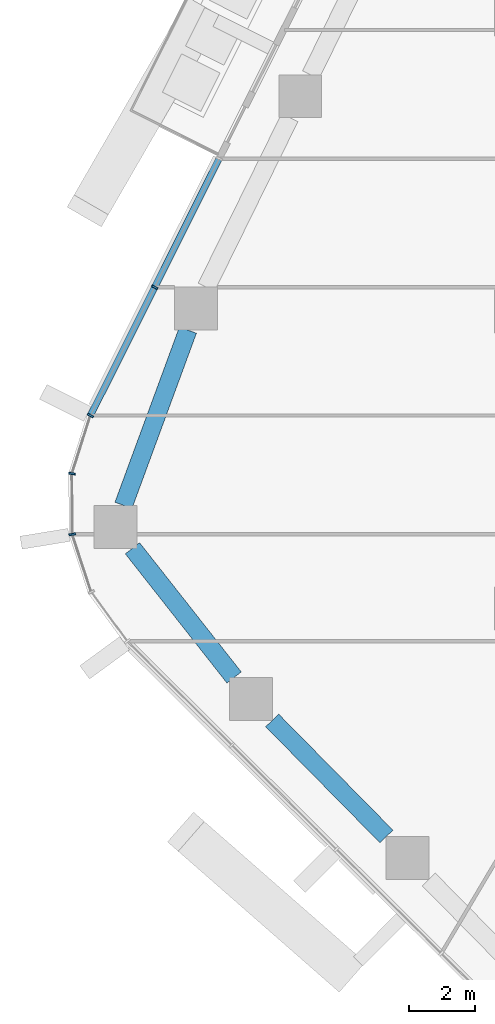
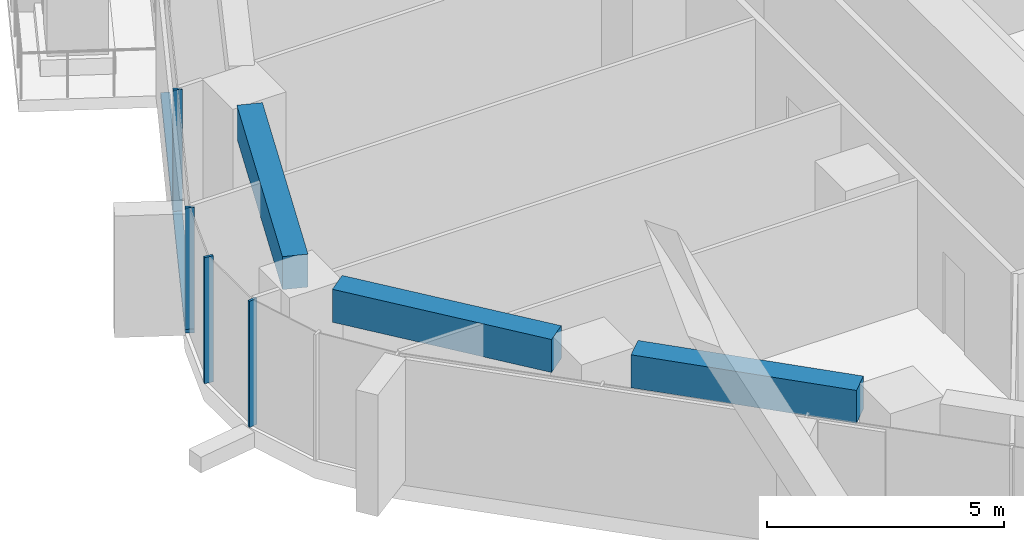
# One storey, part 3 of 25: 5 members, 3 beams, 2 elements without a shape of their own.
"""IFC4 building model written with IfcOpenShell, lengths in metres."""

from ifc_helpers import new_model, si_unit, direction, frame, origin, origin_2d, place, context, subcontext, project, spatial, rectangle, extrude, material, layer, layer_set, material_profile, profile_set, type_object, element, aggregate, save


model = new_model("IFC4")

# Units and contexts
model_context = context("Model", 3, precision=1e-05, world=origin(), true_north=direction((0.0, 1.0)))
body_context = subcontext(model_context, "Body", "Model", "MODEL_VIEW")
ifc_project = project(units=[si_unit("LENGTHUNIT", "METRE"), si_unit("AREAUNIT", "SQUARE_METRE"), si_unit("VOLUMEUNIT", "CUBIC_METRE"), si_unit("PLANEANGLEUNIT", "RADIAN"), si_unit("MASSUNIT", "GRAM", prefix="KILO")], contexts=[model_context])

# Site, building, storey
site_placement = place(None, origin())
site = spatial("IfcSite", under=ifc_project, at=site_placement, CompositionType="ELEMENT")
building_placement = place(site_placement, origin())
building = spatial("IfcBuilding", under=site, at=building_placement, Name="Dongbaek Canopy Tower", CompositionType="ELEMENT")
storey_placement = place(building_placement, frame((0.0, 0.0, 102.60009765625)))
storey = spatial("IfcBuildingStorey", under=building, at=storey_placement, Name="L21", CompositionType="ELEMENT", Elevation=102.60009765625)

# Curtain wall, members
ifc_material_1 = material(Name="Aluminium 6063-T6 pale anodised", Category="aluminium")
ifc_layer = layer(ifc_material_1, 0.199951171875)
ifc_layer_set = layer_set([ifc_layer], Name="CW-1 unitised tower curtain wall")
curtain_wall_type = type_object("IfcCurtainWallType", Name="CW-1 unitised tower curtain wall", PredefinedType="NOTDEFINED", material=ifc_layer_set)
curtain_wall_1_placement = place(storey_placement, origin())
curtain_wall_1 = element("IfcCurtainWall", 1, at=curtain_wall_1_placement, inside=storey, type_object=curtain_wall_type, Name="CW-1 curtain wall F2.1", PredefinedType="NOTDEFINED")
ifc_material_2 = material(Name="Aluminium 6063-T6 pale anodised", Category="aluminium")
ifc_material_profile_1 = material_profile(ifc_material_2, rectangle(XDim=0.199951171875, YDim=0.06005859375, at=origin_2d()), Name="CW-1 mullion 60 x 200")
ifc_profile_set_1 = profile_set([ifc_material_profile_1], Name="Aluminium 6063-T6 pale anodised")
member_type_1 = type_object("IfcMemberType", Name="CW-1 mullion 60 x 200", PredefinedType="MULLION", material=ifc_profile_set_1)
member_1_placement = place(storey_placement, frame((-28.93896484375, 0.733154296875, 0.119873046875), z_axis=(0.0, 0.0, 1.0), x_axis=(-0.894055791151, 0.447955625381, 0.0)))
member_1 = element("IfcMember", 2, at=member_1_placement, type_object=member_type_1, Name="CW-1 mullion F2.1.2", PredefinedType="MULLION", context=body_context, shape_type="SweptSolid", body=[
    extrude(rectangle(XDim=0.199951171875, YDim=0.06005859375, at=origin_2d()), origin(), (0.0, 0.0, 1.0), 3.130126953125),
])
member_2_placement = place(storey_placement, frame((-30.886962890625, -3.15478515625, 0.119873046875), z_axis=(0.0, 0.0, 1.0), x_axis=(-0.894055791151, 0.447955625381, 0.0)))
member_2 = element("IfcMember", 3, at=member_2_placement, type_object=member_type_1, Name="CW-1 mullion F2.1.3", PredefinedType="MULLION", context=body_context, shape_type="SweptSolid", body=[
    extrude(rectangle(XDim=0.199951171875, YDim=0.06005859375, at=origin_2d()), origin(), (0.0, 0.0, 1.0), 3.130126953125),
])

curtain_wall_2_placement = place(storey_placement, origin())
curtain_wall_2 = element("IfcCurtainWall", 4, at=curtain_wall_2_placement, inside=storey, type_object=curtain_wall_type, Name="CW-1 curtain wall K3.1", PredefinedType="NOTDEFINED")
member_3_placement = place(storey_placement, frame((-31.447021484375, -4.915771484375, 0.0), z_axis=(0.0, 0.0, 1.0), x_axis=(-0.988575704859, 0.150725166318, 0.0)))
member_3 = element("IfcMember", 5, at=member_3_placement, type_object=member_type_1, Name="CW-1 mullion K3.1.2", PredefinedType="MULLION", context=body_context, shape_type="SweptSolid", body=[
    extrude(rectangle(XDim=0.199951171875, YDim=0.06005859375, at=origin_2d()), origin(), (0.0, 0.0, 1.0), 3.25),
])
member_4_placement = place(storey_placement, frame((-31.437255859375, -6.75537109375, 0.0), z_axis=(0.0, 0.0, 1.0), x_axis=(-0.986927013659, -0.161167830876, 0.0)))
member_4 = element("IfcMember", 6, at=member_4_placement, type_object=member_type_1, Name="CW-1 mullion K3.1.3", PredefinedType="MULLION", context=body_context, shape_type="SweptSolid", body=[
    extrude(rectangle(XDim=0.199951171875, YDim=0.06005859375, at=origin_2d()), origin(), (0.0, 0.0, 1.0), 3.25),
])
aggregate(curtain_wall_2, [member_3, member_4])

# Member
ifc_material_3 = material(Name="Aluminium 6063-T6 pale anodised", Category="aluminium")
ifc_material_profile_2 = material_profile(ifc_material_3, rectangle(XDim=0.199951171875, YDim=0.1201171875, at=origin_2d()), Name="CW-1 transom 120 x 200")
ifc_profile_set_2 = profile_set([ifc_material_profile_2], Name="Aluminium 6063-T6 pale anodised")
member_type_2 = type_object("IfcMemberType", Name="CW-1 transom 120 x 200", PredefinedType="USERDEFINED", material=ifc_profile_set_2)
member_5_placement = place(storey_placement, frame((-26.9873046875, 4.62841796875, 0.059814453125), z_axis=(-0.447953815462, -0.894056697986, 0.0), x_axis=(0.894056697986, -0.447953815462, 0.0)))
member_5 = element("IfcMember", 7, at=member_5_placement, type_object=member_type_2, Name="CW-1 transom F2.1.1", ObjectType="TRANSOM", PredefinedType="USERDEFINED", context=body_context, shape_type="SweptSolid", body=[
    extrude(rectangle(XDim=0.199951171875, YDim=0.1201171875, at=origin_2d()), origin(), (0.0, 0.0, 1.0), 8.70556640625),
])

aggregate(curtain_wall_1, [member_1, member_2, member_5])

# Beams
ifc_material_4 = material(Name="Concrete C80", Category="concrete")
ifc_material_profile_3 = material_profile(ifc_material_4, rectangle(XDim=0.550048828125, YDim=0.85009765625, at=origin_2d()), Name="RC EDGE BEAM 550x850 C80")
ifc_profile_set_3 = profile_set([ifc_material_profile_3], Name="Concrete C80")
beam_type = type_object("IfcBeamType", Name="RC EDGE BEAM 550x850 C80", PredefinedType="BEAM", material=ifc_profile_set_3)
beam_1_placement = place(storey_placement, frame((-21.9169921875, -15.909912109375, 2.875), z_axis=(-0.70172014863, 0.712452688259, 0.0), x_axis=(-0.712452688259, -0.70172014863, 0.0)))
element("IfcBeam", 8, at=beam_1_placement, inside=storey, type_object=beam_type, Name="EDGEBEAM:L21:06", PredefinedType="BEAM", context=body_context, shape_type="SweptSolid", body=[
    extrude(rectangle(XDim=0.550048828125, YDim=0.85009765625, at=origin_2d()), origin(), (0.0, 0.0, 1.0), 4.936279296875),
])
beam_2_placement = place(storey_placement, frame((-26.532470703125, -11.093017578125, 2.875), z_axis=(-0.618340753303, 0.78591011751, 0.0), x_axis=(-0.78591011751, -0.618340753303, 0.0)))
element("IfcBeam", 9, at=beam_2_placement, inside=storey, type_object=beam_type, Name="EDGEBEAM:L21:07", PredefinedType="BEAM", context=body_context, shape_type="SweptSolid", body=[
    extrude(rectangle(XDim=0.550048828125, YDim=0.85009765625, at=origin_2d()), origin(), (0.0, 0.0, 1.0), 4.982666015625),
])
beam_3_placement = place(storey_placement, frame((-29.8857421875, -5.876953125, 2.875), z_axis=(0.345281407117, 0.938499200799, 0.0), x_axis=(-0.938499200799, 0.345281407117, 0.0)))
element("IfcBeam", 10, at=beam_3_placement, inside=storey, type_object=beam_type, Name="EDGEBEAM:L21:08", PredefinedType="BEAM", context=body_context, shape_type="SweptSolid", body=[
    extrude(rectangle(XDim=0.550048828125, YDim=0.85009765625, at=origin_2d()), origin(), (0.0, 0.0, 1.0), 5.657958984375),
])

save(model, "model.ifc")
